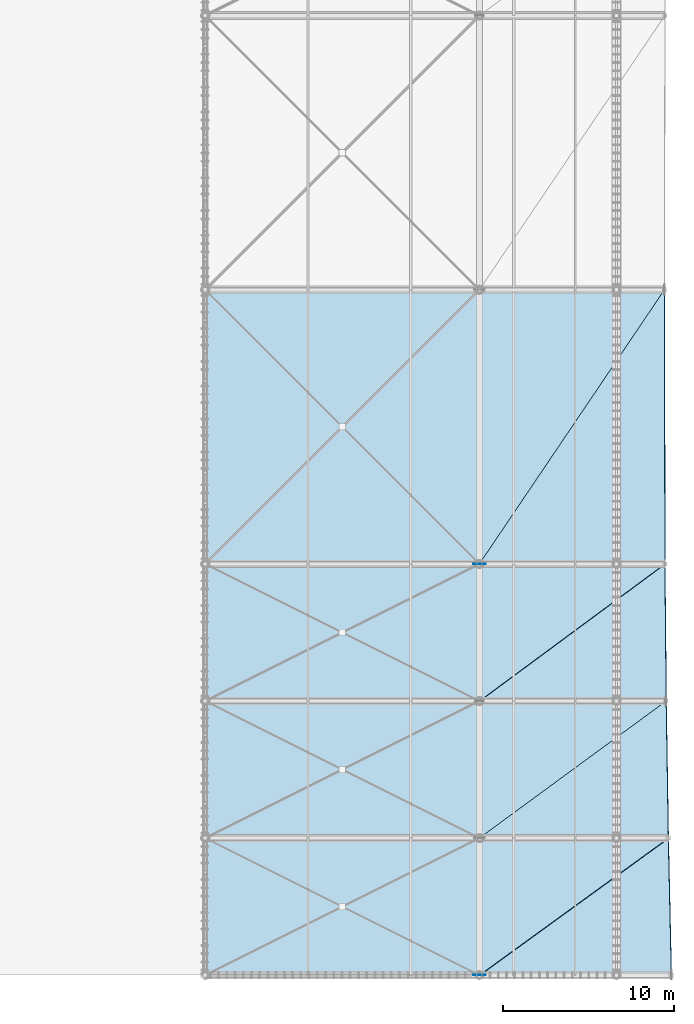
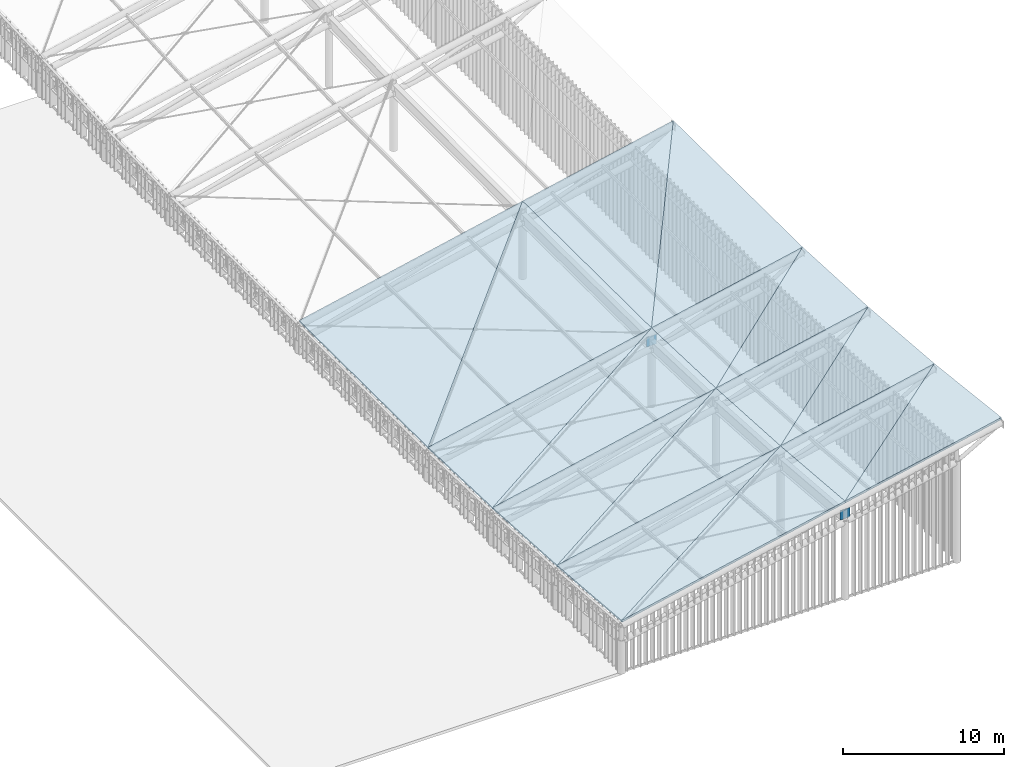
# One storey, part 17 of 25: 16 slabs, 2 plates.
"""IFC4 building model written with IfcOpenShell, lengths in metres."""

from ifc_helpers import new_model, si_unit, direction, frame, origin, origin_2d, place, context, subcontext, project, spatial, polyline, rectangle, outline, extrude, material, layer, layer_set, type_object, element, save


model = new_model("IFC4")

# Units and contexts
model_context = context("Model", 3, precision=1e-05, world=origin(), true_north=direction((0.0, 1.0)))
body_context = subcontext(model_context, "Body", "Model", "MODEL_VIEW")
ifc_project = project(units=[si_unit("LENGTHUNIT", "METRE"), si_unit("AREAUNIT", "SQUARE_METRE"), si_unit("VOLUMEUNIT", "CUBIC_METRE"), si_unit("PLANEANGLEUNIT", "RADIAN"), si_unit("MASSUNIT", "GRAM", prefix="KILO")], contexts=[model_context])

# Site, building, storey
site_placement = place(None, origin())
site = spatial("IfcSite", under=ifc_project, at=site_placement, CompositionType="ELEMENT")
building_placement = place(site_placement, origin())
building = spatial("IfcBuilding", under=site, at=building_placement, Name="Haebicheon Civic Stadium", CompositionType="ELEMENT")
storey_placement = place(building_placement, frame((0.0, 0.0, 31.199951171875)))
storey = spatial("IfcBuildingStorey", under=building, at=storey_placement, Name="RF", CompositionType="ELEMENT", Elevation=31.199951171875)

# Plates
ifc_material_1 = material(Name="White painted steel SM490", Category="steel")
ifc_layer_1 = layer(ifc_material_1, 0.031982421875, Name="White painted steel SM490")
ifc_layer_set_1 = layer_set([ifc_layer_1], Name="White painted steel SM490")
plate_type = type_object("IfcPlateType", Name="PLT-GUS-32", PredefinedType="USERDEFINED", material=ifc_layer_set_1)
for number, where, z_axis, x_axis, name in (
    (1, (64.0, 48.0, 6.02587890625), (0.0, 0.0, 1.0), (1.0, 0.0, 0.0), "CAN-WEST heel node gusset plate KN-T01"),
    (2, (64.0, 72.0, 4.58203125), (0.0, 0.0, 1.0), (1.0, 0.0, 0.0), "CAN-WEST heel node gusset plate KN-T04"),
):
    element("IfcPlate", number, at=place(storey_placement, frame(where, z_axis=z_axis, x_axis=x_axis)), inside=storey, type_object=plate_type, material=ifc_layer_set_1, Name=name, ObjectType="GUSSET PLATE", PredefinedType="USERDEFINED", context=body_context, shape_type="SweptSolid", body=[
        extrude(rectangle(XDim=0.719970703125, YDim=0.031982421875, at=origin_2d()), origin(), (0.0, 0.0, 1.0), 0.719970703125),
    ])

# Slabs
ifc_material_2 = material(Name="White painted steel SM490", Category="steel")
ifc_layer_2 = layer(ifc_material_2, 0.159912109375, Name="White painted steel SM490")
ifc_layer_set_2 = layer_set([ifc_layer_2], Name="White painted steel SM490")
slab_type = type_object("IfcSlabType", Name="SLB-CAN-160", PredefinedType="ROOF", material=ifc_layer_set_2)
slab_1_placement = place(storey_placement, frame((48.0, 48.0, 3.900146484375), z_axis=(-0.209483719641, 0.082098587641, 0.974359478382), x_axis=(0.977659849808, 0.0, 0.210193287411)))
element("IfcSlab", 3, at=slab_1_placement, inside=storey, type_object=slab_type, material=ifc_layer_set_2, Name="CAN-WEST curled canopy facet 1.BS-A", PredefinedType="ROOF", context=body_context, shape_type="SweptSolid", body=[
    extrude(outline(polyline([(0.0, 0.0), (16.36561018961509, 0.0), (16.223924724150464, 8.027097772430638), (0.0, 0.0)])), origin(), (0.0, 0.0, -1.0), 0.159912109375),
])
slab_2_placement = place(storey_placement, frame((48.0, 48.0, 3.900146484375), z_axis=(-0.209483719641, 0.082098587641, 0.974359478382), x_axis=(0.883923896933, 0.441961948466, 0.152801114324)))
element("IfcSlab", 4, at=slab_2_placement, inside=storey, type_object=slab_type, material=ifc_layer_set_2, Name="CAN-WEST curled canopy facet 1.BS-B", PredefinedType="ROOF", context=body_context, shape_type="SweptSolid", body=[
    extrude(outline(polyline([(0.0, 0.0), (18.10110582542022, -5.551115123125783e-17), (3.4326965944089864, 7.257476662726364), (0.0, 0.0)])), origin(), (0.0, 0.0, -1.0), 0.159912109375),
])
slab_3_placement = place(storey_placement, frame((64.0, 48.0, 7.340087890625), z_axis=(-0.20948415965, 0.08212358635, 0.974357277091), x_axis=(0.977659661495, 0.0, 0.210194163299)))
element("IfcSlab", 5, at=slab_3_placement, inside=storey, type_object=slab_type, material=ifc_layer_set_2, Name="CAN-WEST curled canopy facet 1.CT-A", PredefinedType="ROOF", context=body_context, shape_type="SweptSolid", body=[
    extrude(outline(polyline([(0.0, 0.0), (11.455879395437805, 2.7755575615628914e-17), (11.13510103668019, 8.027114361286126), (0.0, 0.0)])), origin(), (0.0, 0.0, -1.0), 0.159912109375),
])
slab_4_placement = place(storey_placement, frame((64.0, 48.0, 7.340087890625), z_axis=(-0.209467120254, 0.082098886213, 0.974363021884), x_axis=(0.803166236146, 0.582801524116, 0.12355719568)))
element("IfcSlab", 6, at=slab_4_placement, inside=storey, type_object=slab_type, material=ifc_layer_set_2, Name="CAN-WEST curled canopy facet 1.CT-B", PredefinedType="ROOF", context=body_context, shape_type="SweptSolid", body=[
    extrude(outline(polyline([(0.0, 0.0), (13.726800066521045, -1.3877787807814457e-15), (4.5791257140995505, 6.5943901244737635), (0.0, 0.0)])), origin(), (0.0, 0.0, -1.0), 0.159912109375),
])
slab_5_placement = place(storey_placement, frame((48.0, 56.0, 3.22607421875), z_axis=(-0.209831149906, 0.058675282515, 0.975975460629), x_axis=(0.977659849808, 0.0, 0.210193287411)))
element("IfcSlab", 7, at=slab_5_placement, inside=storey, type_object=slab_type, material=ifc_layer_set_2, Name="CAN-WEST curled canopy facet 2.BS-A", PredefinedType="ROOF", context=body_context, shape_type="SweptSolid", body=[
    extrude(outline(polyline([(0.0, 0.0), (16.36561018961509, -2.7755575615628914e-17), (16.264516250112987, 8.013806815821352), (0.0, 0.0)])), origin(), (0.0, 0.0, -1.0), 0.159912109375),
])
slab_6_placement = place(storey_placement, frame((48.0, 56.0, 3.22607421875), z_axis=(-0.209831149906, 0.058675282515, 0.975975460629), x_axis=(0.882436392639, 0.44121819632, 0.163194718609)))
element("IfcSlab", 8, at=slab_6_placement, inside=storey, type_object=slab_type, material=ifc_layer_set_2, Name="CAN-WEST curled canopy facet 2.BS-B", PredefinedType="ROOF", context=body_context, shape_type="SweptSolid", body=[
    extrude(outline(polyline([(0.0, 0.0), (18.131618475235307, 4.440892098500626e-16), (3.4512559231793998, 7.233267050139096), (0.0, 0.0)])), origin(), (0.0, 0.0, -1.0), 0.159912109375),
])
slab_7_placement = place(storey_placement, frame((64.0, 56.0, 6.666015625), z_axis=(-0.209814184068, 0.058703130396, 0.975977433472), x_axis=(0.97766342944, 0.0, 0.210176636986)))
element("IfcSlab", 9, at=slab_7_placement, inside=storey, type_object=slab_type, material=ifc_layer_set_2, Name="CAN-WEST curled canopy facet 2.CT-A", PredefinedType="ROOF", context=body_context, shape_type="SweptSolid", body=[
    extrude(outline(polyline([(0.0, 0.0), (11.27678709436811, 0.0), (11.047797529563146, 8.013819958627323), (0.0, 0.0)])), origin(), (0.0, 0.0, -1.0), 0.159912109375),
])
slab_8_placement = place(storey_placement, frame((64.0, 56.0, 6.666015625), z_axis=(-0.209795069359, 0.058675747152, 0.975983189184), x_axis=(0.798629148381, 0.586155085207, 0.136432032314)))
element("IfcSlab", 10, at=slab_8_placement, inside=storey, type_object=slab_type, material=ifc_layer_set_2, Name="CAN-WEST curled canopy facet 2.CT-B", PredefinedType="ROOF", context=body_context, shape_type="SweptSolid", body=[
    extrude(outline(polyline([(0.0, 0.0), (13.648265112589042, 2.7755575615628914e-16), (4.623622736428256, 6.546253314461066), (0.0, 0.0)])), origin(), (0.0, 0.0, -1.0), 0.159912109375),
])
slab_9_placement = place(storey_placement, frame((48.0, 64.0, 2.7451171875), z_axis=(-0.210062260137, 0.035303579276, 0.977050410243), x_axis=(0.977659849808, 0.0, 0.210193287411)))
element("IfcSlab", 11, at=slab_9_placement, inside=storey, type_object=slab_type, material=ifc_layer_set_2, Name="CAN-WEST curled canopy facet 3.BS-A", PredefinedType="ROOF", context=body_context, shape_type="SweptSolid", body=[
    extrude(outline(polyline([(0.0, 0.0), (16.36561018961509, -1.3877787807814457e-17), (16.304851192472707, 8.004990035794703), (0.0, 0.0)])), origin(), (0.0, 0.0, -1.0), 0.159912109375),
])
slab_10_placement = place(storey_placement, frame((48.0, 64.0, 2.7451171875), z_axis=(-0.210062260137, 0.035303579276, 0.977050410243), x_axis=(0.880867061367, 0.440433530684, 0.17346909018)))
element("IfcSlab", 12, at=slab_10_placement, inside=storey, type_object=slab_type, material=ifc_layer_set_2, Name="CAN-WEST curled canopy facet 3.BS-B", PredefinedType="ROOF", context=body_context, shape_type="SweptSolid", body=[
    extrude(outline(polyline([(0.0, 0.0), (18.16392132447868, 7.771561172376096e-16), (3.4733248365890974, 7.212459477074348), (0.0, 0.0)])), origin(), (0.0, 0.0, -1.0), 0.159912109375),
])
slab_11_placement = place(storey_placement, frame((64.0, 64.0, 6.18505859375), z_axis=(-0.210026362744, 0.035274317253, 0.977059184233), x_axis=(0.977667618447, 0.0, 0.210157150343)))
element("IfcSlab", 13, at=slab_11_placement, inside=storey, type_object=slab_type, material=ifc_layer_set_2, Name="CAN-WEST curled canopy facet 3.CT-A", PredefinedType="ROOF", context=body_context, shape_type="SweptSolid", body=[
    extrude(outline(polyline([(0.0, 0.0), (11.14888346314058, 0.0), (11.011522564790441, 8.004981759331132), (0.0, 0.0)])), origin(), (0.0, 0.0, -1.0), 0.159912109375),
])
slab_12_placement = place(storey_placement, frame((64.0, 64.0, 6.18505859375), z_axis=(-0.210047038994, 0.035303697362, 0.977053678342), x_axis=(0.795150147509, 0.587642482545, 0.149708234994)))
element("IfcSlab", 14, at=slab_12_placement, inside=storey, type_object=slab_type, material=ifc_layer_set_2, Name="CAN-WEST curled canopy facet 3.CT-B", PredefinedType="ROOF", context=body_context, shape_type="SweptSolid", body=[
    extrude(outline(polyline([(0.0, 0.0), (13.613719629921619, -1.2212453270876722e-15), (4.657864823682762, 6.51059539621416), (0.0, 0.0)])), origin(), (0.0, 0.0, -1.0), 0.159912109375),
])
slab_13_placement = place(storey_placement, frame((48.0, 72.0, 2.4560546875), z_axis=(-0.210189675156, 0.005862636078, 0.977643048334), x_axis=(0.977659849808, 0.0, 0.210193287411)))
element("IfcSlab", 15, at=slab_13_placement, inside=storey, type_object=slab_type, material=ifc_layer_set_2, Name="CAN-WEST curled canopy facet 4.BS-A", PredefinedType="ROOF", context=body_context, shape_type="SweptSolid", body=[
    extrude(outline(polyline([(0.0, 0.0), (16.36561018961509, -3.469446951953614e-18), (16.345442718435226, 16.000274971102435), (0.0, 0.0)])), origin(), (0.0, 0.0, -1.0), 0.159912109375),
])
slab_14_placement = place(storey_placement, frame((48.0, 72.0, 2.4560546875), z_axis=(-0.210189675156, 0.005862636078, 0.977643048334), x_axis=(0.699509251309, 0.699509251309, 0.146197177356)))
element("IfcSlab", 16, at=slab_14_placement, inside=storey, type_object=slab_type, material=ifc_layer_set_2, Name="CAN-WEST curled canopy facet 4.BS-B", PredefinedType="ROOF", context=body_context, shape_type="SweptSolid", body=[
    extrude(outline(polyline([(0.0, 0.0), (22.87317854633532, 3.3306690738754696e-16), (11.178120801531769, 11.448092470981518), (0.0, 0.0)])), origin(), (0.0, 0.0, -1.0), 0.159912109375),
])
slab_15_placement = place(storey_placement, frame((64.0, 72.0, 5.89599609375), z_axis=(-0.210174462671, 0.005848813096, 0.977646401633), x_axis=(0.977663124027, 0.0, 0.210178057652)))
element("IfcSlab", 17, at=slab_15_placement, inside=storey, type_object=slab_type, material=ifc_layer_set_2, Name="CAN-WEST curled canopy facet 4.CT-A", PredefinedType="ROOF", context=body_context, shape_type="SweptSolid", body=[
    extrude(outline(polyline([(0.0, 0.0), (11.07227111859336, -1.734723475976807e-18), (11.0266814324316, 16.00027367593867), (0.0, 0.0)])), origin(), (0.0, 0.0, -1.0), 0.159912109375),
])
slab_16_placement = place(storey_placement, frame((64.0, 72.0, 5.89599609375), z_axis=(-0.21019404778, 0.00586263044, 0.977642108259), x_axis=(0.555791321708, 0.823390828028, 0.114558068389)))
element("IfcSlab", 18, at=slab_16_placement, inside=storey, type_object=slab_type, material=ifc_layer_set_2, Name="CAN-WEST curled canopy facet 4.CT-B", PredefinedType="ROOF", context=body_context, shape_type="SweptSolid", body=[
    extrude(outline(polyline([(0.0, 0.0), (19.431841423737165, -1.3877787807814457e-15), (13.163261715030986, 9.096029183076558), (0.0, 0.0)])), origin(), (0.0, 0.0, -1.0), 0.159912109375),
])

save(model, "model.ifc")
